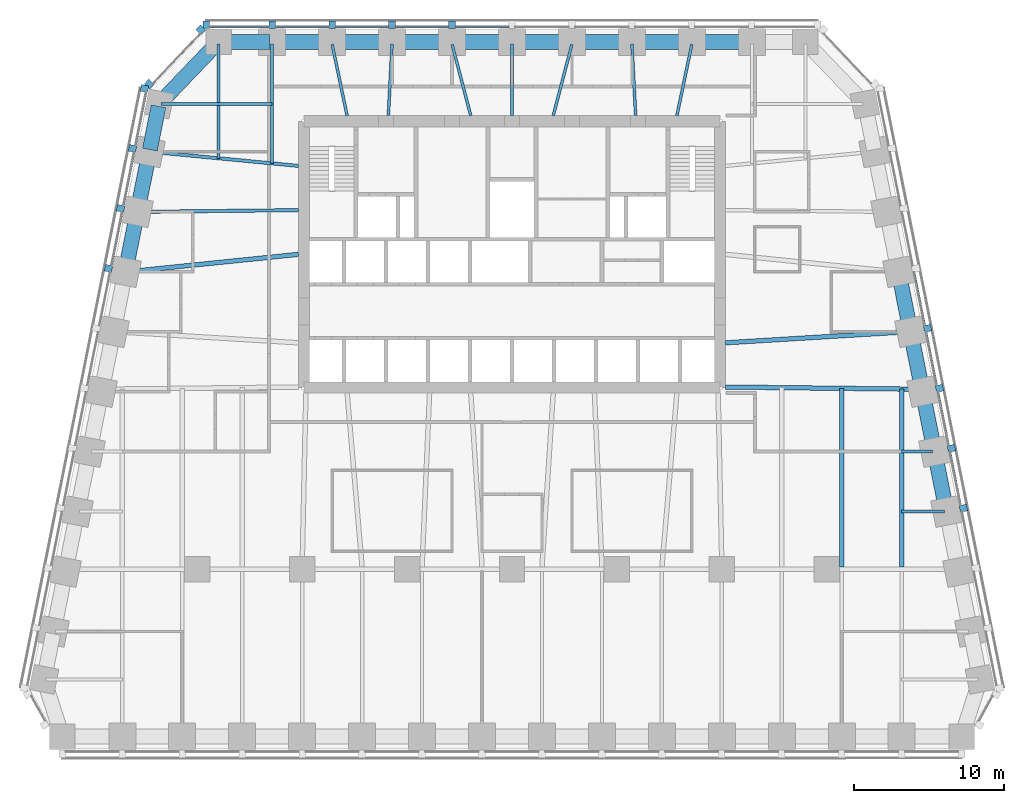
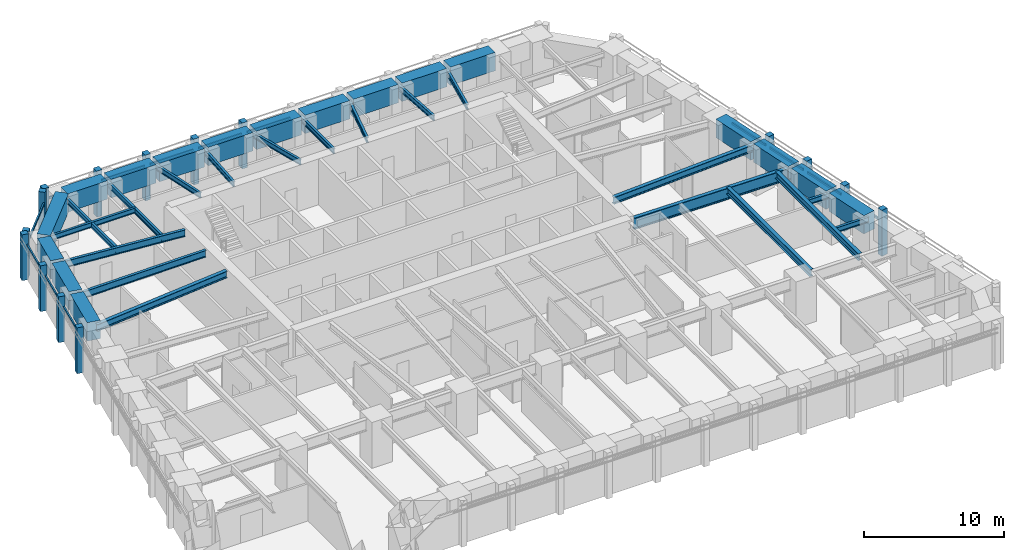
# One storey, part 3 of 10: 36 beams, 28 members, 4 elements without a shape of their own.
"""IFC4 building model written with IfcOpenShell, lengths in metres."""

from ifc_helpers import new_model, si_unit, direction, frame, origin, origin_2d, place, context, subcontext, project, spatial, rectangle, i_section, extrude, material, material_profile, profile_set, type_object, element, aggregate, save


model = new_model("IFC4")

# Units and contexts
model_context = context("Model", 3, precision=1e-05, world=origin(), true_north=direction((0.0, 1.0)))
body_context = subcontext(model_context, "Body", "Model", "MODEL_VIEW")
ifc_project = project(units=[si_unit("LENGTHUNIT", "METRE"), si_unit("AREAUNIT", "SQUARE_METRE"), si_unit("VOLUMEUNIT", "CUBIC_METRE"), si_unit("PLANEANGLEUNIT", "RADIAN"), si_unit("MASSUNIT", "GRAM", prefix="KILO")], contexts=[model_context])

# Site, building, storey
site_placement = place(None, origin())
site = spatial("IfcSite", under=ifc_project, at=site_placement, CompositionType="ELEMENT")
building_placement = place(site_placement, origin())
building = spatial("IfcBuilding", under=site, at=building_placement, Name="Isbrekke Arena Tower", CompositionType="ELEMENT")
storey_placement = place(building_placement, frame((0.0, 0.0, 119.0)))
storey = spatial("IfcBuildingStorey", under=building, at=storey_placement, Name="L26", CompositionType="ELEMENT", Elevation=119.0)

# Beams
ifc_material_1 = material(Name="Steel S355", Category="steel")
ifc_material_profile_1 = material_profile(ifc_material_1, i_section(OverallWidth=0.219970703125, OverallDepth=0.60009765625, WebThickness=0.011962890625, FlangeThickness=0.01904296875, FilletRadius=0.02392578125, at=origin_2d()), Name="IPE 600")
ifc_profile_set_1 = profile_set([ifc_material_profile_1], Name="Steel S355")
beam_type_1 = type_object("IfcBeamType", Name="B1 IPE 600", PredefinedType="BEAM", material=ifc_profile_set_1)
beam_1_placement = place(storey_placement, frame((-24.030517578125, 21.837158203125, 3.550048828125), z_axis=(0.995439798606, -0.095391862082, 0.0), x_axis=(0.095391862082, 0.995439798606, 0.0)))
element("IfcBeam", 1, at=beam_1_placement, inside=storey, type_object=beam_type_1, Name="B1 beam E-W02 L26", PredefinedType="BEAM", context=body_context, shape_type="SweptSolid", body=[
    extrude(i_section(OverallWidth=0.219970703125, OverallDepth=0.60009765625, WebThickness=0.011962890625, FlangeThickness=0.01904296875, FilletRadius=0.02392578125, at=origin_2d()), origin(), (0.0, 0.0, 1.0), 9.825439453125),
])
beam_2_placement = place(storey_placement, frame((-24.83984375, 17.838134765625, 3.550048828125), z_axis=(0.999944260169, 0.010558245831, 0.0), x_axis=(-0.010558245831, 0.999944260169, 0.0)))
element("IfcBeam", 2, at=beam_2_placement, inside=storey, type_object=beam_type_1, Name="B1 beam E-W03 L26", PredefinedType="BEAM", context=body_context, shape_type="SweptSolid", body=[
    extrude(i_section(OverallWidth=0.219970703125, OverallDepth=0.60009765625, WebThickness=0.011962890625, FlangeThickness=0.01904296875, FilletRadius=0.02392578125, at=origin_2d()), origin(), (0.0, 0.0, 1.0), 10.59033203125),
])
ifc_material_2 = material(Name="Steel S355", Category="steel")
ifc_material_profile_2 = material_profile(ifc_material_2, i_section(OverallWidth=0.18994140625, OverallDepth=0.449951171875, WebThickness=0.009521484375, FlangeThickness=0.0146484375, FilletRadius=0.02099609375, at=origin_2d()), Name="IPE 450")
ifc_profile_set_2 = profile_set([ifc_material_profile_2], Name="Steel S355")
beam_type_2 = type_object("IfcBeamType", Name="B2 IPE 450", PredefinedType="BEAM", material=ifc_profile_set_2)
beam_3_placement = place(storey_placement, frame((28.841064453125, -2.161865234375, 3.625), z_axis=(-1.0, 0.0, 0.0), x_axis=(0.0, -1.0, 0.0)))
element("IfcBeam", 3, at=beam_3_placement, inside=storey, type_object=beam_type_2, Name="B2 beam E-E04 L26", PredefinedType="BEAM", context=body_context, shape_type="SweptSolid", body=[
    extrude(i_section(OverallWidth=0.18994140625, OverallDepth=0.449951171875, WebThickness=0.009521484375, FlangeThickness=0.0146484375, FilletRadius=0.02099609375, at=origin_2d()), origin(), (0.0, 0.0, 1.0), 2.841064453125),
])
beam_4_placement = place(storey_placement, frame((28.041015625, 1.838134765625, 3.625), z_axis=(-1.0, 0.0, 0.0), x_axis=(0.0, -1.0, 0.0)))
element("IfcBeam", 4, at=beam_4_placement, inside=storey, type_object=beam_type_2, Name="B2 beam E-E05 L26", PredefinedType="BEAM", context=body_context, shape_type="SweptSolid", body=[
    extrude(i_section(OverallWidth=0.18994140625, OverallDepth=0.449951171875, WebThickness=0.009521484375, FlangeThickness=0.0146484375, FilletRadius=0.02099609375, at=origin_2d()), origin(), (0.0, 0.0, 1.0), 2.041015625),
])
beam_5_placement = place(storey_placement, frame((-23.40283203125, 25.029296875, 3.625), z_axis=(1.0, 0.0, 0.0), x_axis=(0.0, 1.0, 0.0)))
element("IfcBeam", 5, at=beam_5_placement, inside=storey, type_object=beam_type_2, Name="B2 beam E-W01 L26", PredefinedType="BEAM", context=body_context, shape_type="SweptSolid", body=[
    extrude(i_section(OverallWidth=0.18994140625, OverallDepth=0.449951171875, WebThickness=0.009521484375, FlangeThickness=0.0146484375, FilletRadius=0.02099609375, at=origin_2d()), origin(), (0.0, 0.0, 1.0), 7.40283203125),
])
ifc_material_3 = material(Name="Steel S355", Category="steel")
ifc_material_profile_3 = material_profile(ifc_material_3, i_section(OverallWidth=0.18994140625, OverallDepth=0.449951171875, WebThickness=0.009521484375, FlangeThickness=0.0146484375, FilletRadius=0.02099609375, at=origin_2d()), Name="IPE 450")
ifc_profile_set_3 = profile_set([ifc_material_profile_3], Name="Steel S355")
beam_type_3 = type_object("IfcBeamType", Name="B3 IPE 450", PredefinedType="BEAM", material=ifc_profile_set_3)
beam_6_placement = place(storey_placement, frame((-16.0, 29.02490234375, 3.625), z_axis=(0.0, -1.0, 0.0), x_axis=(1.0, 0.0, 0.0)))
element("IfcBeam", 6, at=beam_6_placement, inside=storey, type_object=beam_type_3, Name="B3 beam N-N10 L26", PredefinedType="BEAM", context=body_context, shape_type="SweptSolid", body=[
    extrude(i_section(OverallWidth=0.18994140625, OverallDepth=0.449951171875, WebThickness=0.009521484375, FlangeThickness=0.0146484375, FilletRadius=0.02099609375, at=origin_2d()), origin(), (0.0, 0.0, 1.0), 7.957275390625),
])
beam_7_placement = place(storey_placement, frame((-19.574951171875, 29.02490234375, 3.625), z_axis=(0.0, -1.0, 0.0), x_axis=(1.0, 0.0, 0.0)))
element("IfcBeam", 7, at=beam_7_placement, inside=storey, type_object=beam_type_3, Name="B3 beam N-N11 L26", PredefinedType="BEAM", context=body_context, shape_type="SweptSolid", body=[
    extrude(i_section(OverallWidth=0.18994140625, OverallDepth=0.449951171875, WebThickness=0.009521484375, FlangeThickness=0.0146484375, FilletRadius=0.02099609375, at=origin_2d()), origin(), (0.0, 0.0, 1.0), 7.61474609375),
])
beam_8_placement = place(storey_placement, frame((11.99609375, 29.005859375, 3.625), z_axis=(-0.20499748459, -0.978762499952, 0.0), x_axis=(0.978762499952, -0.20499748459, 0.0)))
element("IfcBeam", 8, at=beam_8_placement, inside=storey, type_object=beam_type_3, Name="B3 beam N-N03 L26", PredefinedType="BEAM", context=body_context, shape_type="SweptSolid", body=[
    extrude(i_section(OverallWidth=0.18994140625, OverallDepth=0.449951171875, WebThickness=0.009521484375, FlangeThickness=0.0146484375, FilletRadius=0.02099609375, at=origin_2d()), origin(), (0.0, 0.0, 1.0), 4.859130859375),
])
beam_9_placement = place(storey_placement, frame((8.000244140625, 29.02001953125, 3.625), z_axis=(0.052287879538, -0.998632053187, 0.0), x_axis=(0.998632053187, 0.052287879538, 0.0)))
element("IfcBeam", 9, at=beam_9_placement, inside=storey, type_object=beam_type_3, Name="B3 beam N-N04 L26", PredefinedType="BEAM", context=body_context, shape_type="SweptSolid", body=[
    extrude(i_section(OverallWidth=0.18994140625, OverallDepth=0.449951171875, WebThickness=0.009521484375, FlangeThickness=0.0146484375, FilletRadius=0.02099609375, at=origin_2d()), origin(), (0.0, 0.0, 1.0), 4.776611328125),
])
beam_10_placement = place(storey_placement, frame((3.993896484375, 29.001708984375, 3.625), z_axis=(-0.253245319824, -0.967402092197, 0.0), x_axis=(0.967402092197, -0.253245319824, 0.0)))
element("IfcBeam", 10, at=beam_10_placement, inside=storey, type_object=beam_type_3, Name="B3 beam N-N05 L26", PredefinedType="BEAM", context=body_context, shape_type="SweptSolid", body=[
    extrude(i_section(OverallWidth=0.18994140625, OverallDepth=0.449951171875, WebThickness=0.009521484375, FlangeThickness=0.0146484375, FilletRadius=0.02099609375, at=origin_2d()), origin(), (0.0, 0.0, 1.0), 4.911865234375),
])
beam_11_placement = place(storey_placement, frame((0.0, 29.02490234375, 3.625), z_axis=(0.0, -1.0, 0.0), x_axis=(1.0, 0.0, 0.0)))
element("IfcBeam", 11, at=beam_11_placement, inside=storey, type_object=beam_type_3, Name="B3 beam N-N06 L26", PredefinedType="BEAM", context=body_context, shape_type="SweptSolid", body=[
    extrude(i_section(OverallWidth=0.18994140625, OverallDepth=0.449951171875, WebThickness=0.009521484375, FlangeThickness=0.0146484375, FilletRadius=0.02099609375, at=origin_2d()), origin(), (0.0, 0.0, 1.0), 4.77490234375),
])
beam_12_placement = place(storey_placement, frame((-3.993896484375, 29.001708984375, 3.625), z_axis=(0.253245319824, -0.967402092197, 0.0), x_axis=(0.967402092197, 0.253245319824, 0.0)))
element("IfcBeam", 12, at=beam_12_placement, inside=storey, type_object=beam_type_3, Name="B3 beam N-N07 L26", PredefinedType="BEAM", context=body_context, shape_type="SweptSolid", body=[
    extrude(i_section(OverallWidth=0.18994140625, OverallDepth=0.449951171875, WebThickness=0.009521484375, FlangeThickness=0.0146484375, FilletRadius=0.02099609375, at=origin_2d()), origin(), (0.0, 0.0, 1.0), 4.911865234375),
])
beam_13_placement = place(storey_placement, frame((-8.000244140625, 29.02001953125, 3.625), z_axis=(-0.052287879538, -0.998632053187, 0.0), x_axis=(0.998632053187, -0.052287879538, 0.0)))
element("IfcBeam", 13, at=beam_13_placement, inside=storey, type_object=beam_type_3, Name="B3 beam N-N08 L26", PredefinedType="BEAM", context=body_context, shape_type="SweptSolid", body=[
    extrude(i_section(OverallWidth=0.18994140625, OverallDepth=0.449951171875, WebThickness=0.009521484375, FlangeThickness=0.0146484375, FilletRadius=0.02099609375, at=origin_2d()), origin(), (0.0, 0.0, 1.0), 4.776611328125),
])
beam_14_placement = place(storey_placement, frame((-11.99609375, 29.005859375, 3.625), z_axis=(0.20499748459, -0.978762499952, 0.0), x_axis=(0.978762499952, 0.20499748459, 0.0)))
element("IfcBeam", 14, at=beam_14_placement, inside=storey, type_object=beam_type_3, Name="B3 beam N-N09 L26", PredefinedType="BEAM", context=body_context, shape_type="SweptSolid", body=[
    extrude(i_section(OverallWidth=0.18994140625, OverallDepth=0.449951171875, WebThickness=0.009521484375, FlangeThickness=0.0146484375, FilletRadius=0.02099609375, at=origin_2d()), origin(), (0.0, 0.0, 1.0), 4.859130859375),
])
ifc_material_4 = material(Name="Steel S355", Category="steel")
ifc_material_profile_4 = material_profile(ifc_material_4, i_section(OverallWidth=0.300048828125, OverallDepth=0.60009765625, WebThickness=0.015380859375, FlangeThickness=0.030029296875, FilletRadius=0.027099609375, at=origin_2d()), Name="HEB 600")
ifc_profile_set_4 = profile_set([ifc_material_profile_4], Name="Steel S355")
beam_type_4 = type_object("IfcBeamType", Name="B7 HEB 600", PredefinedType="BEAM", material=ifc_profile_set_4)
beam_15_placement = place(storey_placement, frame((22.0, -5.84912109375, 3.550048828125), z_axis=(0.0, 1.0, 0.0), x_axis=(-1.0, 0.0, 0.0)))
element("IfcBeam", 15, at=beam_15_placement, inside=storey, type_object=beam_type_4, Name="B7 beam C-M13 L26", PredefinedType="BEAM", context=body_context, shape_type="SweptSolid", body=[
    extrude(i_section(OverallWidth=0.300048828125, OverallDepth=0.60009765625, WebThickness=0.015380859375, FlangeThickness=0.030029296875, FilletRadius=0.027099609375, at=origin_2d()), origin(), (0.0, 0.0, 1.0), 11.91064453125),
])
beam_16_placement = place(storey_placement, frame((26.0, -5.84912109375, 3.550048828125), z_axis=(0.0, 1.0, 0.0), x_axis=(-1.0, 0.0, 0.0)))
element("IfcBeam", 16, at=beam_16_placement, inside=storey, type_object=beam_type_4, Name="B7 beam C-M14 L26", PredefinedType="BEAM", context=body_context, shape_type="SweptSolid", body=[
    extrude(i_section(OverallWidth=0.300048828125, OverallDepth=0.60009765625, WebThickness=0.015380859375, FlangeThickness=0.030029296875, FilletRadius=0.027099609375, at=origin_2d()), origin(), (0.0, 0.0, 1.0), 11.864990234375),
])
beam_17_placement = place(storey_placement, frame((26.431884765625, 9.837646484375, 3.550048828125), z_axis=(-0.998172191876, -0.060434057993, 0.0), x_axis=(0.060434057993, -0.998172191876, 0.0)))
element("IfcBeam", 17, at=beam_17_placement, inside=storey, type_object=beam_type_4, Name="B7 beam E-E07 L26", PredefinedType="BEAM", context=body_context, shape_type="SweptSolid", body=[
    extrude(i_section(OverallWidth=0.300048828125, OverallDepth=0.60009765625, WebThickness=0.015380859375, FlangeThickness=0.030029296875, FilletRadius=0.027099609375, at=origin_2d()), origin(), (0.0, 0.0, 1.0), 12.2041015625),
])
beam_18_placement = place(storey_placement, frame((-25.6259765625, 13.83984375, 3.550048828125), z_axis=(0.994839949319, 0.10145676537, 0.0), x_axis=(-0.10145676537, 0.994839949319, 0.0)))
element("IfcBeam", 18, at=beam_18_placement, inside=storey, type_object=beam_type_4, Name="B7 beam E-W04 L26", PredefinedType="BEAM", context=body_context, shape_type="SweptSolid", body=[
    extrude(i_section(OverallWidth=0.300048828125, OverallDepth=0.60009765625, WebThickness=0.015380859375, FlangeThickness=0.030029296875, FilletRadius=0.027099609375, at=origin_2d()), origin(), (0.0, 0.0, 1.0), 11.43505859375),
])

# Curtain wall, members
ifc_material_5 = material(Name="Glazed aluminium curtain wall", Category="aluminium")
curtain_wall_type = type_object("IfcCurtainWallType", Name="CWM TOWER CURTAIN WALL MID ZONE", PredefinedType="USERDEFINED", material=ifc_material_5)
curtain_wall_1_placement = place(storey_placement, origin())
curtain_wall_1 = element("IfcCurtainWall", 19, at=curtain_wall_1_placement, inside=storey, type_object=curtain_wall_type, Name="CWM curtain wall L26-E", ObjectType="TOWER CURTAIN WALL MID ZONE", PredefinedType="USERDEFINED")
ifc_material_6 = material(Name="Aluminium mullion, pale brick slip cladding", Category="masonry")
ifc_material_profile_5 = material_profile(ifc_material_6, rectangle(XDim=0.449951171875, YDim=0.5, at=origin_2d()), Name="PIER 450X500")
ifc_profile_set_5 = profile_set([ifc_material_profile_5], Name="Aluminium mullion, pale brick slip cladding")
member_type_1 = type_object("IfcMemberType", Name="CWM-M PIER MULLION 450 x 500", PredefinedType="MULLION", material=ifc_profile_set_5)
member_1_placement = place(storey_placement, frame((30.11865234375, -1.936279296875, 0.0), z_axis=(0.0, 0.0, 1.0), x_axis=(-0.196116135138, 0.980580675691, 0.0)))
member_1 = element("IfcMember", 20, at=member_1_placement, type_object=member_type_1, Name="CWM-M mullion 4", PredefinedType="MULLION", context=body_context, shape_type="SweptSolid", body=[
    extrude(rectangle(XDim=0.449951171875, YDim=0.5, at=origin_2d()), origin(), (0.0, 0.0, 1.0), 4.0),
])
member_2_placement = place(storey_placement, frame((29.318603515625, 2.063720703125, 0.0), z_axis=(0.0, 0.0, 1.0), x_axis=(-0.196116135138, 0.980580675691, 0.0)))
member_2 = element("IfcMember", 21, at=member_2_placement, type_object=member_type_1, Name="CWM-M mullion 5", PredefinedType="MULLION", context=body_context, shape_type="SweptSolid", body=[
    extrude(rectangle(XDim=0.449951171875, YDim=0.5, at=origin_2d()), origin(), (0.0, 0.0, 1.0), 4.0),
])
member_3_placement = place(storey_placement, frame((28.518798828125, 6.063720703125, 0.0), z_axis=(0.0, 0.0, 1.0), x_axis=(-0.196116135138, 0.980580675691, 0.0)))
member_3 = element("IfcMember", 22, at=member_3_placement, type_object=member_type_1, Name="CWM-M mullion 6", PredefinedType="MULLION", context=body_context, shape_type="SweptSolid", body=[
    extrude(rectangle(XDim=0.449951171875, YDim=0.5, at=origin_2d()), origin(), (0.0, 0.0, 1.0), 4.0),
])
member_4_placement = place(storey_placement, frame((27.71875, 10.063720703125, 0.0), z_axis=(0.0, 0.0, 1.0), x_axis=(-0.196116135138, 0.980580675691, 0.0)))
member_4 = element("IfcMember", 23, at=member_4_placement, type_object=member_type_1, Name="CWM-M mullion 7", PredefinedType="MULLION", context=body_context, shape_type="SweptSolid", body=[
    extrude(rectangle(XDim=0.449951171875, YDim=0.5, at=origin_2d()), origin(), (0.0, 0.0, 1.0), 4.0),
])

curtain_wall_2_placement = place(storey_placement, origin())
curtain_wall_2 = element("IfcCurtainWall", 24, at=curtain_wall_2_placement, inside=storey, type_object=curtain_wall_type, Name="CWM curtain wall L26-N", ObjectType="TOWER CURTAIN WALL MID ZONE", PredefinedType="USERDEFINED")
member_5_placement = place(storey_placement, frame((-4.0, 30.324951171875, 0.0), z_axis=(0.0, 0.0, 1.0), x_axis=(-1.0, 0.0, 0.0)))
member_5 = element("IfcMember", 25, at=member_5_placement, type_object=member_type_1, Name="CWM-M mullion 7", PredefinedType="MULLION", context=body_context, shape_type="SweptSolid", body=[
    extrude(rectangle(XDim=0.449951171875, YDim=0.5, at=origin_2d()), origin(), (0.0, 0.0, 1.0), 4.0),
])
member_6_placement = place(storey_placement, frame((-8.0, 30.324951171875, 0.0), z_axis=(0.0, 0.0, 1.0), x_axis=(-1.0, 0.0, 0.0)))
member_6 = element("IfcMember", 26, at=member_6_placement, type_object=member_type_1, Name="CWM-M mullion 8", PredefinedType="MULLION", context=body_context, shape_type="SweptSolid", body=[
    extrude(rectangle(XDim=0.449951171875, YDim=0.5, at=origin_2d()), origin(), (0.0, 0.0, 1.0), 4.0),
])
member_7_placement = place(storey_placement, frame((-12.0, 30.324951171875, 0.0), z_axis=(0.0, 0.0, 1.0), x_axis=(-1.0, 0.0, 0.0)))
member_7 = element("IfcMember", 27, at=member_7_placement, type_object=member_type_1, Name="CWM-M mullion 9", PredefinedType="MULLION", context=body_context, shape_type="SweptSolid", body=[
    extrude(rectangle(XDim=0.449951171875, YDim=0.5, at=origin_2d()), origin(), (0.0, 0.0, 1.0), 4.0),
])
member_8_placement = place(storey_placement, frame((-16.0, 30.324951171875, 0.0), z_axis=(0.0, 0.0, 1.0), x_axis=(-1.0, 0.0, 0.0)))
member_8 = element("IfcMember", 28, at=member_8_placement, type_object=member_type_1, Name="CWM-M mullion 10", PredefinedType="MULLION", context=body_context, shape_type="SweptSolid", body=[
    extrude(rectangle(XDim=0.449951171875, YDim=0.5, at=origin_2d()), origin(), (0.0, 0.0, 1.0), 4.0),
])
member_9_placement = place(storey_placement, frame((-20.39990234375, 30.324951171875, 0.0), z_axis=(0.0, 0.0, 1.0), x_axis=(-1.0, 0.0, 0.0)))
member_9 = element("IfcMember", 29, at=member_9_placement, type_object=member_type_1, Name="CWM-M mullion 11", PredefinedType="MULLION", context=body_context, shape_type="SweptSolid", body=[
    extrude(rectangle(XDim=0.449951171875, YDim=0.5, at=origin_2d()), origin(), (0.0, 0.0, 1.0), 4.0),
])

curtain_wall_3_placement = place(storey_placement, origin())
curtain_wall_3 = element("IfcCurtainWall", 30, at=curtain_wall_3_placement, inside=storey, type_object=curtain_wall_type, Name="CWM curtain wall L26-NW", ObjectType="TOWER CURTAIN WALL MID ZONE", PredefinedType="USERDEFINED")
member_10_placement = place(storey_placement, frame((-20.759033203125, 29.985107421875, 0.0), z_axis=(0.0, 0.0, 1.0), x_axis=(-0.68874946192, -0.72499943359, 0.0)))
member_10 = element("IfcMember", 31, at=member_10_placement, type_object=member_type_1, Name="CWM-M mullion 1", PredefinedType="MULLION", context=body_context, shape_type="SweptSolid", body=[
    extrude(rectangle(XDim=0.449951171875, YDim=0.5, at=origin_2d()), origin(), (0.0, 0.0, 1.0), 4.0),
])
member_11_placement = place(storey_placement, frame((-24.207763671875, 26.35498046875, 0.0), z_axis=(0.0, 0.0, 1.0), x_axis=(-0.68874946192, -0.72499943359, 0.0)))
member_11 = element("IfcMember", 32, at=member_11_placement, type_object=member_type_1, Name="CWM-M mullion 2", PredefinedType="MULLION", context=body_context, shape_type="SweptSolid", body=[
    extrude(rectangle(XDim=0.449951171875, YDim=0.5, at=origin_2d()), origin(), (0.0, 0.0, 1.0), 4.0),
])

curtain_wall_4_placement = place(storey_placement, origin())
curtain_wall_4 = element("IfcCurtainWall", 33, at=curtain_wall_4_placement, inside=storey, type_object=curtain_wall_type, Name="CWM curtain wall L26-W", ObjectType="TOWER CURTAIN WALL MID ZONE", PredefinedType="USERDEFINED")
member_12_placement = place(storey_placement, frame((-24.518798828125, 26.063720703125, 0.0), z_axis=(0.0, 0.0, 1.0), x_axis=(-0.196116135138, -0.980580675691, 0.0)))
member_12 = element("IfcMember", 34, at=member_12_placement, type_object=member_type_1, Name="CWM-M mullion 1", PredefinedType="MULLION", context=body_context, shape_type="SweptSolid", body=[
    extrude(rectangle(XDim=0.449951171875, YDim=0.5, at=origin_2d()), origin(), (0.0, 0.0, 1.0), 4.0),
])
member_13_placement = place(storey_placement, frame((-25.318603515625, 22.063720703125, 0.0), z_axis=(0.0, 0.0, 1.0), x_axis=(-0.196116135138, -0.980580675691, 0.0)))
member_13 = element("IfcMember", 35, at=member_13_placement, type_object=member_type_1, Name="CWM-M mullion 2", PredefinedType="MULLION", context=body_context, shape_type="SweptSolid", body=[
    extrude(rectangle(XDim=0.449951171875, YDim=0.5, at=origin_2d()), origin(), (0.0, 0.0, 1.0), 4.0),
])
member_14_placement = place(storey_placement, frame((-26.11865234375, 18.063720703125, 0.0), z_axis=(0.0, 0.0, 1.0), x_axis=(-0.196116135138, -0.980580675691, 0.0)))
member_14 = element("IfcMember", 36, at=member_14_placement, type_object=member_type_1, Name="CWM-M mullion 3", PredefinedType="MULLION", context=body_context, shape_type="SweptSolid", body=[
    extrude(rectangle(XDim=0.449951171875, YDim=0.5, at=origin_2d()), origin(), (0.0, 0.0, 1.0), 4.0),
])
member_15_placement = place(storey_placement, frame((-26.918701171875, 14.063720703125, 0.0), z_axis=(0.0, 0.0, 1.0), x_axis=(-0.196116135138, -0.980580675691, 0.0)))
member_15 = element("IfcMember", 37, at=member_15_placement, type_object=member_type_1, Name="CWM-M mullion 4", PredefinedType="MULLION", context=body_context, shape_type="SweptSolid", body=[
    extrude(rectangle(XDim=0.449951171875, YDim=0.5, at=origin_2d()), origin(), (0.0, 0.0, 1.0), 4.0),
])

# Member
ifc_material_7 = material(Name="Aluminium transom", Category="aluminium")
ifc_material_profile_6 = material_profile(ifc_material_7, rectangle(XDim=0.1201171875, YDim=0.199951171875, at=origin_2d()), Name="TRANSOM 120X200")
ifc_profile_set_6 = profile_set([ifc_material_profile_6], Name="Aluminium transom")
member_type_2 = type_object("IfcMemberType", Name="CWM-T TRANSOM 120 x 200", PredefinedType="USERDEFINED", material=ifc_profile_set_6)
member_16_placement = place(storey_placement, frame((29.927490234375, -1.7451171875, 3.0), z_axis=(-0.196090262229, 0.980585849918, 0.0), x_axis=(-0.980585849918, -0.196090262229, 0.0)))
member_16 = element("IfcMember", 38, at=member_16_placement, type_object=member_type_2, Name="CWM-T transom 4", ObjectType="TRANSOM", PredefinedType="USERDEFINED", context=body_context, shape_type="SweptSolid", body=[
    extrude(rectangle(XDim=0.1201171875, YDim=0.199951171875, at=origin_2d()), origin(), (0.0, 0.0, 1.0), 3.62939453125),
])

member_17_placement = place(storey_placement, frame((29.12744140625, 2.2548828125, 3.0), z_axis=(-0.196090262229, 0.980585849918, 0.0), x_axis=(-0.980585849918, -0.196090262229, 0.0)))
member_17 = element("IfcMember", 39, at=member_17_placement, type_object=member_type_2, Name="CWM-T transom 5", ObjectType="TRANSOM", PredefinedType="USERDEFINED", context=body_context, shape_type="SweptSolid", body=[
    extrude(rectangle(XDim=0.1201171875, YDim=0.199951171875, at=origin_2d()), origin(), (0.0, 0.0, 1.0), 3.62939453125),
])

member_18_placement = place(storey_placement, frame((28.327392578125, 6.2548828125, 3.0), z_axis=(-0.196090262229, 0.980585849918, 0.0), x_axis=(-0.980585849918, -0.196090262229, 0.0)))
member_18 = element("IfcMember", 40, at=member_18_placement, type_object=member_type_2, Name="CWM-T transom 6", ObjectType="TRANSOM", PredefinedType="USERDEFINED", context=body_context, shape_type="SweptSolid", body=[
    extrude(rectangle(XDim=0.1201171875, YDim=0.199951171875, at=origin_2d()), origin(), (0.0, 0.0, 1.0), 3.62939453125),
])

member_19_placement = place(storey_placement, frame((27.527587890625, 10.2548828125, 3.0), z_axis=(-0.196154943734, 0.980572913173, 0.0), x_axis=(-0.980572913173, -0.196154943734, 0.0)))
member_19 = element("IfcMember", 41, at=member_19_placement, type_object=member_type_2, Name="CWM-T transom 7", ObjectType="TRANSOM", PredefinedType="USERDEFINED", context=body_context, shape_type="SweptSolid", body=[
    extrude(rectangle(XDim=0.1201171875, YDim=0.199951171875, at=origin_2d()), origin(), (0.0, 0.0, 1.0), 3.62939453125),
])

aggregate(curtain_wall_1, [member_1, member_2, member_3, member_4, member_16, member_17, member_18, member_19])

member_20_placement = place(storey_placement, frame((-0.22509765625, 30.175048828125, 3.0), z_axis=(-1.0, 0.0, 0.0), x_axis=(0.0, -1.0, 0.0)))
member_20 = element("IfcMember", 42, at=member_20_placement, type_object=member_type_2, Name="CWM-T transom 6", ObjectType="TRANSOM", PredefinedType="USERDEFINED", context=body_context, shape_type="SweptSolid", body=[
    extrude(rectangle(XDim=0.1201171875, YDim=0.199951171875, at=origin_2d()), origin(), (0.0, 0.0, 1.0), 3.5498046875),
])

member_21_placement = place(storey_placement, frame((-4.22509765625, 30.175048828125, 3.0), z_axis=(-1.0, 0.0, 0.0), x_axis=(0.0, -1.0, 0.0)))
member_21 = element("IfcMember", 43, at=member_21_placement, type_object=member_type_2, Name="CWM-T transom 7", ObjectType="TRANSOM", PredefinedType="USERDEFINED", context=body_context, shape_type="SweptSolid", body=[
    extrude(rectangle(XDim=0.1201171875, YDim=0.199951171875, at=origin_2d()), origin(), (0.0, 0.0, 1.0), 3.5498046875),
])

member_22_placement = place(storey_placement, frame((-8.22509765625, 30.175048828125, 3.0), z_axis=(-1.0, 0.0, 0.0), x_axis=(0.0, -1.0, 0.0)))
member_22 = element("IfcMember", 44, at=member_22_placement, type_object=member_type_2, Name="CWM-T transom 8", ObjectType="TRANSOM", PredefinedType="USERDEFINED", context=body_context, shape_type="SweptSolid", body=[
    extrude(rectangle(XDim=0.1201171875, YDim=0.199951171875, at=origin_2d()), origin(), (0.0, 0.0, 1.0), 3.5498046875),
])

member_23_placement = place(storey_placement, frame((-12.22509765625, 30.175048828125, 3.0), z_axis=(-1.0, 0.0, 0.0), x_axis=(0.0, -1.0, 0.0)))
member_23 = element("IfcMember", 45, at=member_23_placement, type_object=member_type_2, Name="CWM-T transom 9", ObjectType="TRANSOM", PredefinedType="USERDEFINED", context=body_context, shape_type="SweptSolid", body=[
    extrude(rectangle(XDim=0.1201171875, YDim=0.199951171875, at=origin_2d()), origin(), (0.0, 0.0, 1.0), 3.5498046875),
])

member_24_placement = place(storey_placement, frame((-16.22509765625, 30.175048828125, 3.0), z_axis=(-1.0, 0.0, 0.0), x_axis=(0.0, -1.0, 0.0)))
member_24 = element("IfcMember", 46, at=member_24_placement, type_object=member_type_2, Name="CWM-T transom 10", ObjectType="TRANSOM", PredefinedType="USERDEFINED", context=body_context, shape_type="SweptSolid", body=[
    extrude(rectangle(XDim=0.1201171875, YDim=0.199951171875, at=origin_2d()), origin(), (0.0, 0.0, 1.0), 3.949951171875),
])

aggregate(curtain_wall_2, [member_5, member_6, member_7, member_8, member_9, member_20, member_21, member_22, member_23, member_24])

member_25_placement = place(storey_placement, frame((-20.80517578125, 29.71875, 3.0), z_axis=(-0.688739606035, -0.725008796552, 0.0), x_axis=(0.725008796552, -0.688739606035, 0.0)))
member_25 = element("IfcMember", 47, at=member_25_placement, type_object=member_type_2, Name="CWM-T transom 1", ObjectType="TRANSOM", PredefinedType="USERDEFINED", context=body_context, shape_type="SweptSolid", body=[
    extrude(rectangle(XDim=0.1201171875, YDim=0.199951171875, at=origin_2d()), origin(), (0.0, 0.0, 1.0), 4.55712890625),
])

aggregate(curtain_wall_3, [member_10, member_11, member_25])

member_26_placement = place(storey_placement, frame((-24.415771484375, 25.813720703125, 3.0), z_axis=(-0.196090262229, -0.980585849918, 0.0), x_axis=(0.980585849918, -0.196090262229, 0.0)))
member_26 = element("IfcMember", 48, at=member_26_placement, type_object=member_type_2, Name="CWM-T transom 1", ObjectType="TRANSOM", PredefinedType="USERDEFINED", context=body_context, shape_type="SweptSolid", body=[
    extrude(rectangle(XDim=0.1201171875, YDim=0.199951171875, at=origin_2d()), origin(), (0.0, 0.0, 1.0), 3.62939453125),
])

member_27_placement = place(storey_placement, frame((-25.2158203125, 21.813720703125, 3.0), z_axis=(-0.196090262229, -0.980585849918, 0.0), x_axis=(0.980585849918, -0.196090262229, 0.0)))
member_27 = element("IfcMember", 49, at=member_27_placement, type_object=member_type_2, Name="CWM-T transom 2", ObjectType="TRANSOM", PredefinedType="USERDEFINED", context=body_context, shape_type="SweptSolid", body=[
    extrude(rectangle(XDim=0.1201171875, YDim=0.199951171875, at=origin_2d()), origin(), (0.0, 0.0, 1.0), 3.62939453125),
])

member_28_placement = place(storey_placement, frame((-26.015625, 17.813720703125, 3.0), z_axis=(-0.196154943734, -0.980572913173, 0.0), x_axis=(0.980572913173, -0.196154943734, 0.0)))
member_28 = element("IfcMember", 50, at=member_28_placement, type_object=member_type_2, Name="CWM-T transom 3", ObjectType="TRANSOM", PredefinedType="USERDEFINED", context=body_context, shape_type="SweptSolid", body=[
    extrude(rectangle(XDim=0.1201171875, YDim=0.199951171875, at=origin_2d()), origin(), (0.0, 0.0, 1.0), 3.62939453125),
])

aggregate(curtain_wall_4, [member_12, member_13, member_14, member_15, member_26, member_27, member_28])

# Beams
ifc_material_8 = material(Name="Steel S355", Category="steel")
ifc_material_profile_7 = material_profile(ifc_material_8, i_section(OverallWidth=0.302001953125, OverallDepth=1.008056640625, WebThickness=0.02099609375, FlangeThickness=0.0400390625, FilletRadius=0.030029296875, at=origin_2d()), Name="HEM 1000")
ifc_profile_set_7 = profile_set([ifc_material_profile_7], Name="Steel S355")
beam_type_5 = type_object("IfcBeamType", Name="G2 HEM 1000", PredefinedType="BEAM", material=ifc_profile_set_7)
beam_19_placement = place(storey_placement, frame((14.25, 6.14990234375, 3.345947265625), z_axis=(0.999934928157, -0.011407867963, 0.0), x_axis=(0.011407867963, 0.999934928157, 0.0)))
element("IfcBeam", 51, at=beam_19_placement, inside=storey, type_object=beam_type_5, Name="G2 beam G2-E L26", PredefinedType="BEAM", context=body_context, shape_type="SweptSolid", body=[
    extrude(i_section(OverallWidth=0.302001953125, OverallDepth=1.008056640625, WebThickness=0.02099609375, FlangeThickness=0.0400390625, FilletRadius=0.030029296875, at=origin_2d()), origin(), (0.0, 0.0, 1.0), 13.140380859375),
])
ifc_material_9 = material(Name="Concrete B80 (C80/95)", Category="concrete")
ifc_material_profile_8 = material_profile(ifc_material_9, rectangle(XDim=1.0, YDim=1.60009765625, at=origin_2d()), Name="RC 1000x1600")
ifc_profile_set_8 = profile_set([ifc_material_profile_8], Name="Concrete B80 (C80/95)")
beam_type_6 = type_object("IfcBeamType", Name="SB2 RC 1000 x 1600", PredefinedType="SPANDREL", material=ifc_profile_set_8)
for number, where, z_axis, x_axis, name in (
    (52, (28.961669921875, -2.0146484375, 3.199951171875), (-0.196128558387, 0.980578190959, 0.0), (-0.980578190959, -0.196128558387, 0.0), "SB2 spandrel E04-E05 L26"),
    (53, (28.16162109375, 1.9853515625, 3.199951171875), (-0.196128558387, 0.980578190959, 0.0), (-0.980578190959, -0.196128558387, 0.0), "SB2 spandrel E05-E06 L26"),
    (54, (27.361572265625, 5.9853515625, 3.199951171875), (-0.196128558387, 0.980578190959, 0.0), (-0.980578190959, -0.196128558387, 0.0), "SB2 spandrel E06-E07 L26"),
):
    element("IfcBeam", number, at=place(storey_placement, frame(where, z_axis=z_axis, x_axis=x_axis)), inside=storey, type_object=beam_type_6, Name=name, PredefinedType="SPANDREL", context=body_context, shape_type="SweptSolid", body=[
        extrude(rectangle(XDim=1.0, YDim=1.60009765625, at=origin_2d()), origin(), (0.0, 0.0, 1.0), 3.779296875),
    ])
beam_20_placement = place(storey_placement, frame((26.5615234375, 9.9853515625, 3.199951171875), z_axis=(-0.1960664412, 0.980590613169, 0.0), x_axis=(-0.980590613169, -0.1960664412, 0.0)))
element("IfcBeam", 55, at=beam_20_placement, inside=storey, type_object=beam_type_6, Name="SB2 spandrel E07-E08 L26", PredefinedType="SPANDREL", context=body_context, shape_type="SweptSolid", body=[
    extrude(rectangle(XDim=1.0, YDim=1.60009765625, at=origin_2d()), origin(), (0.0, 0.0, 1.0), 3.779052734375),
])
for number, where, z_axis, x_axis, name in (
    (56, (15.85009765625, 29.175048828125, 3.199951171875), (-1.0, 0.0, 0.0), (0.0, -1.0, 0.0), "SB2 spandrel N02-N03 L26"),
    (57, (11.85009765625, 29.175048828125, 3.199951171875), (-1.0, 0.0, 0.0), (0.0, -1.0, 0.0), "SB2 spandrel N03-N04 L26"),
    (58, (7.85009765625, 29.175048828125, 3.199951171875), (-1.0, 0.0, 0.0), (0.0, -1.0, 0.0), "SB2 spandrel N04-N05 L26"),
    (59, (3.85009765625, 29.175048828125, 3.199951171875), (-1.0, 0.0, 0.0), (0.0, -1.0, 0.0), "SB2 spandrel N05-N06 L26"),
    (60, (-0.14990234375, 29.175048828125, 3.199951171875), (-1.0, 0.0, 0.0), (0.0, -1.0, 0.0), "SB2 spandrel N06-N07 L26"),
    (61, (-4.14990234375, 29.175048828125, 3.199951171875), (-1.0, 0.0, 0.0), (0.0, -1.0, 0.0), "SB2 spandrel N07-N08 L26"),
    (62, (-8.14990234375, 29.175048828125, 3.199951171875), (-1.0, 0.0, 0.0), (0.0, -1.0, 0.0), "SB2 spandrel N08-N09 L26"),
    (63, (-12.14990234375, 29.175048828125, 3.199951171875), (-1.0, 0.0, 0.0), (0.0, -1.0, 0.0), "SB2 spandrel N09-N10 L26"),
):
    element("IfcBeam", number, at=place(storey_placement, frame(where, z_axis=z_axis, x_axis=x_axis)), inside=storey, type_object=beam_type_6, Name=name, PredefinedType="SPANDREL", context=body_context, shape_type="SweptSolid", body=[
        extrude(rectangle(XDim=1.0, YDim=1.60009765625, at=origin_2d()), origin(), (0.0, 0.0, 1.0), 3.7001953125),
    ])
beam_21_placement = place(storey_placement, frame((-16.14990234375, 29.175048828125, 3.199951171875), z_axis=(-1.0, 0.0, 0.0), x_axis=(0.0, -1.0, 0.0)))
element("IfcBeam", 64, at=beam_21_placement, inside=storey, type_object=beam_type_6, Name="SB2 spandrel N10-N11 L26", PredefinedType="SPANDREL", context=body_context, shape_type="SweptSolid", body=[
    extrude(rectangle(XDim=1.0, YDim=1.60009765625, at=origin_2d()), origin(), (0.0, 0.0, 1.0), 3.275146484375),
])
beam_22_placement = place(storey_placement, frame((-19.678955078125, 29.066650390625, 3.199951171875), z_axis=(-0.692339547635, -0.721571861134, 0.0), x_axis=(0.721571861134, -0.692339547635, 0.0)))
element("IfcBeam", 65, at=beam_22_placement, inside=storey, type_object=beam_type_6, Name="SB2 spandrel N11-W01 L26", PredefinedType="SPANDREL", context=body_context, shape_type="SweptSolid", body=[
    extrude(rectangle(XDim=1.0, YDim=1.60009765625, at=origin_2d()), origin(), (0.0, 0.0, 1.0), 5.4453125),
])
beam_23_placement = place(storey_placement, frame((-23.582275390625, 24.882080078125, 3.199951171875), z_axis=(-0.196116135138, -0.980580675691, 0.0), x_axis=(0.980580675691, -0.196116135138, 0.0)))
element("IfcBeam", 66, at=beam_23_placement, inside=storey, type_object=beam_type_6, Name="SB2 spandrel W01-W02 L26", PredefinedType="SPANDREL", context=body_context, shape_type="SweptSolid", body=[
    extrude(rectangle(XDim=1.0, YDim=1.60009765625, at=origin_2d()), origin(), (0.0, 0.0, 1.0), 2.9541015625),
])
for number, where, z_axis, x_axis, name in (
    (67, (-24.220458984375, 21.691162109375, 3.199951171875), (-0.196128558387, -0.980578190959, 0.0), (0.980578190959, -0.196128558387, 0.0), "SB2 spandrel W02-W03 L26"),
    (68, (-25.0205078125, 17.691162109375, 3.199951171875), (-0.196128558387, -0.980578190959, 0.0), (0.980578190959, -0.196128558387, 0.0), "SB2 spandrel W03-W04 L26"),
):
    element("IfcBeam", number, at=place(storey_placement, frame(where, z_axis=z_axis, x_axis=x_axis)), inside=storey, type_object=beam_type_6, Name=name, PredefinedType="SPANDREL", context=body_context, shape_type="SweptSolid", body=[
        extrude(rectangle(XDim=1.0, YDim=1.60009765625, at=origin_2d()), origin(), (0.0, 0.0, 1.0), 3.779296875),
    ])

save(model, "model.ifc")
